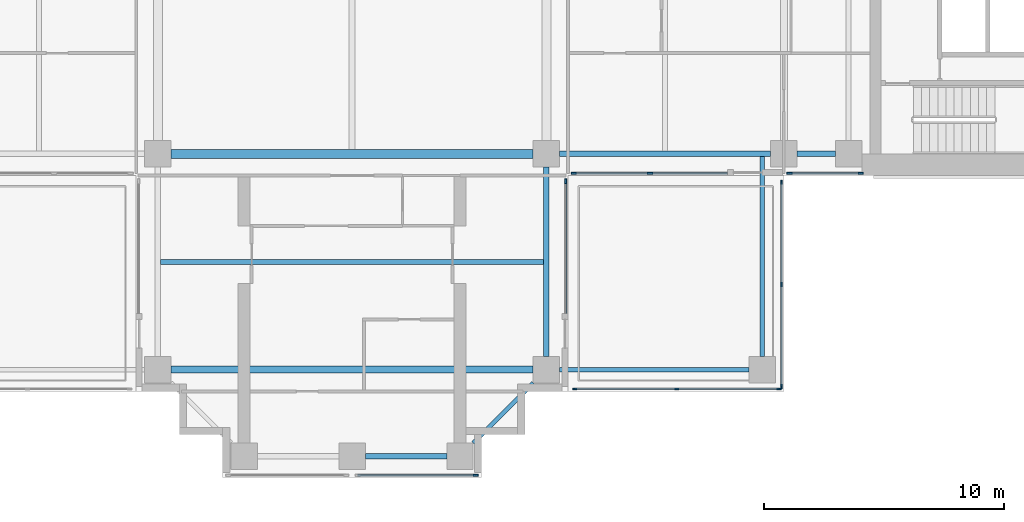
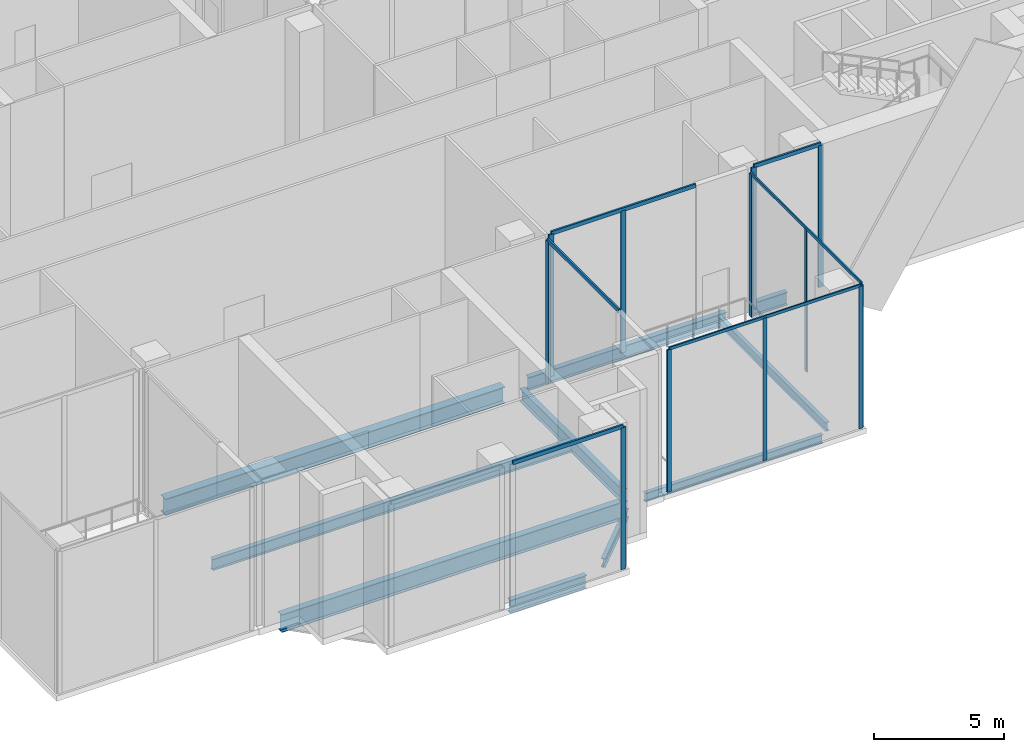
# One storey, part 3 of 17: 18 members, 10 beams, 6 elements without a shape of their own.
"""IFC4 building model written with IfcOpenShell, lengths in metres."""

from ifc_helpers import new_model, si_unit, direction, frame, origin, origin_2d, place, context, subcontext, project, spatial, rectangle, i_section, extrude, material, material_profile, profile_set, type_object, element, aggregate, save


model = new_model("IFC4")

# Units and contexts
model_context = context("Model", 3, precision=1e-05, world=origin(), true_north=direction((0.0, 1.0)))
body_context = subcontext(model_context, "Body", "Model", "MODEL_VIEW")
ifc_project = project(units=[si_unit("LENGTHUNIT", "METRE"), si_unit("AREAUNIT", "SQUARE_METRE"), si_unit("VOLUMEUNIT", "CUBIC_METRE"), si_unit("PLANEANGLEUNIT", "RADIAN"), si_unit("MASSUNIT", "GRAM", prefix="KILO")], contexts=[model_context])

# Site, building, storey
site_placement = place(None, origin())
site = spatial("IfcSite", under=ifc_project, at=site_placement, CompositionType="ELEMENT")
building_placement = place(site_placement, origin())
building = spatial("IfcBuilding", under=site, at=building_placement, Name="Perihelion Cross Residences", CompositionType="ELEMENT")
storey_placement = place(building_placement, frame((0.0, 0.0, 154.89990234375)))
storey = spatial("IfcBuildingStorey", under=building, at=storey_placement, Name="L38", CompositionType="ELEMENT", Elevation=154.89990234375)

# Curtain wall, member
ifc_material_1 = material(Name="Bronze anodised aluminium, tinted glazing", Category="aluminium")
curtain_wall_type_1 = type_object("IfcCurtainWallType", Name="CW3", PredefinedType="NOTDEFINED", material=ifc_material_1)
curtain_wall_1_placement = place(storey_placement, origin())
curtain_wall_1 = element("IfcCurtainWall", 1, at=curtain_wall_1_placement, inside=storey, type_object=curtain_wall_type_1, Name="Curtain wall CW3 L38 south tip south bay 2", PredefinedType="NOTDEFINED")
ifc_material_2 = material(Name="Bronze anodised aluminium", Category="aluminium")
ifc_material_profile_1 = material_profile(ifc_material_2, rectangle(XDim=0.080078125, YDim=0.219970703125, at=origin_2d()), Name="CW3 mullion")
ifc_profile_set_1 = profile_set([ifc_material_profile_1], Name="Bronze anodised aluminium")
member_type_1 = type_object("IfcMemberType", Name="CW3 mullion", PredefinedType="MULLION", material=ifc_profile_set_1)
member_1_placement = place(storey_placement, frame((5.159912109375, -21.5, 0.0), z_axis=(0.0, 0.0, 1.0), x_axis=(0.0, 1.0, 0.0)))
member_1 = element("IfcMember", 2, at=member_1_placement, type_object=member_type_1, Name="CW3 mullion 2", PredefinedType="MULLION", context=body_context, shape_type="SweptSolid", body=[
    extrude(rectangle(XDim=0.080078125, YDim=0.219970703125, at=origin_2d()), origin(), (0.0, 0.0, 1.0), 6.670166015625),
])

curtain_wall_2_placement = place(storey_placement, origin())
curtain_wall_2 = element("IfcCurtainWall", 3, at=curtain_wall_2_placement, inside=storey, type_object=curtain_wall_type_1, Name="Curtain wall CW3 L38 south side east bay 1", PredefinedType="NOTDEFINED")
member_2_placement = place(storey_placement, frame((8.89990234375, -9.239990234375, 0.0), z_axis=(0.0, 0.0, 1.0), x_axis=(-1.0, 0.0, 0.0)))
member_2 = element("IfcMember", 4, at=member_2_placement, type_object=member_type_1, Name="CW3 mullion 2", PredefinedType="MULLION", context=body_context, shape_type="SweptSolid", body=[
    extrude(rectangle(XDim=0.080078125, YDim=0.219970703125, at=origin_2d()), origin(), (0.0, 0.0, 1.0), 6.670166015625),
])

# Curtain wall, members
curtain_wall_3_placement = place(storey_placement, origin())
curtain_wall_3 = element("IfcCurtainWall", 5, at=curtain_wall_3_placement, inside=storey, type_object=curtain_wall_type_1, Name="Curtain wall CW3 L38 east side south bay 1", PredefinedType="NOTDEFINED")
member_3_placement = place(storey_placement, frame((9.239990234375, -8.89990234375, 0.0), z_axis=(0.0, 0.0, 1.0), x_axis=(0.0, 1.0, 0.0)))
member_3 = element("IfcMember", 6, at=member_3_placement, type_object=member_type_1, Name="CW3 mullion 1", PredefinedType="MULLION", context=body_context, shape_type="SweptSolid", body=[
    extrude(rectangle(XDim=0.080078125, YDim=0.219970703125, at=origin_2d()), origin(), (0.0, 0.0, 1.0), 6.670166015625),
])
member_4_placement = place(storey_placement, frame((12.425048828125, -8.89990234375, 0.0), z_axis=(0.0, 0.0, 1.0), x_axis=(0.0, 1.0, 0.0)))
member_4 = element("IfcMember", 7, at=member_4_placement, type_object=member_type_1, Name="CW3 mullion 2", PredefinedType="MULLION", context=body_context, shape_type="SweptSolid", body=[
    extrude(rectangle(XDim=0.080078125, YDim=0.219970703125, at=origin_2d()), origin(), (0.0, 0.0, 1.0), 6.670166015625),
])

curtain_wall_4_placement = place(storey_placement, origin())
curtain_wall_4 = element("IfcCurtainWall", 8, at=curtain_wall_4_placement, inside=storey, type_object=curtain_wall_type_1, Name="Curtain wall CW3 L38 east side south bay 2", PredefinedType="NOTDEFINED")
member_5_placement = place(storey_placement, frame((18.239990234375, -8.89990234375, 0.0), z_axis=(0.0, 0.0, 1.0), x_axis=(0.0, 1.0, 0.0)))
member_5 = element("IfcMember", 9, at=member_5_placement, type_object=member_type_1, Name="CW3 mullion 1", PredefinedType="MULLION", context=body_context, shape_type="SweptSolid", body=[
    extrude(rectangle(XDim=0.080078125, YDim=0.219970703125, at=origin_2d()), origin(), (0.0, 0.0, 1.0), 6.670166015625),
])
member_6_placement = place(storey_placement, frame((21.2099609375, -8.89990234375, 0.0), z_axis=(0.0, 0.0, 1.0), x_axis=(0.0, 1.0, 0.0)))
member_6 = element("IfcMember", 10, at=member_6_placement, type_object=member_type_1, Name="CW3 mullion 2", PredefinedType="MULLION", context=body_context, shape_type="SweptSolid", body=[
    extrude(rectangle(XDim=0.080078125, YDim=0.219970703125, at=origin_2d()), origin(), (0.0, 0.0, 1.0), 6.670166015625),
])

# Member
ifc_material_3 = material(Name="Bronze anodised aluminium", Category="aluminium")
ifc_material_profile_2 = material_profile(ifc_material_3, rectangle(XDim=0.080078125, YDim=0.179931640625, at=origin_2d()), Name="CW3 transom")
ifc_profile_set_2 = profile_set([ifc_material_profile_2], Name="Bronze anodised aluminium")
member_type_2 = type_object("IfcMemberType", Name="CW3 transom", PredefinedType="USERDEFINED", material=ifc_profile_set_2)
member_7_placement = place(storey_placement, frame((0.239990234375, -21.5, 6.710205078125), z_axis=(1.0, 0.0, 0.0), x_axis=(0.0, 1.0, 0.0)))
member_7 = element("IfcMember", 11, at=member_7_placement, type_object=member_type_2, Name="CW3 head transom", ObjectType="TRANSOM", PredefinedType="USERDEFINED", context=body_context, shape_type="SweptSolid", body=[
    extrude(rectangle(XDim=0.080078125, YDim=0.179931640625, at=origin_2d()), origin(), (0.0, 0.0, 1.0), 4.919921875),
])

aggregate(curtain_wall_1, [member_1, member_7])

member_8_placement = place(storey_placement, frame((8.89990234375, -14.75, 6.710205078125), z_axis=(0.0, 1.0, 0.0), x_axis=(-1.0, 0.0, 0.0)))
member_8 = element("IfcMember", 12, at=member_8_placement, type_object=member_type_2, Name="CW3 head transom", ObjectType="TRANSOM", PredefinedType="USERDEFINED", context=body_context, shape_type="SweptSolid", body=[
    extrude(rectangle(XDim=0.080078125, YDim=0.179931640625, at=origin_2d()), origin(), (0.0, 0.0, 1.0), 5.510009765625),
])

aggregate(curtain_wall_2, [member_2, member_8])

member_9_placement = place(storey_placement, frame((9.239990234375, -8.89990234375, 6.710205078125), z_axis=(1.0, 0.0, 0.0), x_axis=(0.0, 1.0, 0.0)))
member_9 = element("IfcMember", 13, at=member_9_placement, type_object=member_type_2, Name="CW3 head transom", ObjectType="TRANSOM", PredefinedType="USERDEFINED", context=body_context, shape_type="SweptSolid", body=[
    extrude(rectangle(XDim=0.080078125, YDim=0.179931640625, at=origin_2d()), origin(), (0.0, 0.0, 1.0), 6.409912109375),
])

aggregate(curtain_wall_3, [member_3, member_4, member_9])

member_10_placement = place(storey_placement, frame((18.239990234375, -8.89990234375, 6.710205078125), z_axis=(1.0, 0.0, 0.0), x_axis=(0.0, 1.0, 0.0)))
member_10 = element("IfcMember", 14, at=member_10_placement, type_object=member_type_2, Name="CW3 head transom", ObjectType="TRANSOM", PredefinedType="USERDEFINED", context=body_context, shape_type="SweptSolid", body=[
    extrude(rectangle(XDim=0.080078125, YDim=0.179931640625, at=origin_2d()), origin(), (0.0, 0.0, 1.0), 2.969970703125),
])

aggregate(curtain_wall_4, [member_5, member_6, member_10])

# Curtain wall, members
ifc_material_4 = material(Name="Bronze anodised aluminium, tinted glazing", Category="aluminium")
curtain_wall_type_2 = type_object("IfcCurtainWallType", Name="CW4", PredefinedType="NOTDEFINED", material=ifc_material_4)
curtain_wall_5_placement = place(storey_placement, origin())
curtain_wall_5 = element("IfcCurtainWall", 15, at=curtain_wall_5_placement, inside=storey, type_object=curtain_wall_type_2, Name="Curtain wall CW4 L38 pocket south-east 1 1", PredefinedType="NOTDEFINED")
ifc_material_5 = material(Name="Bronze anodised aluminium", Category="aluminium")
ifc_material_profile_3 = material_profile(ifc_material_5, rectangle(XDim=0.06005859375, YDim=0.179931640625, at=origin_2d()), Name="CW4 mullion")
ifc_profile_set_3 = profile_set([ifc_material_profile_3], Name="Bronze anodised aluminium")
member_type_3 = type_object("IfcMemberType", Name="CW4 mullion", PredefinedType="MULLION", material=ifc_profile_set_3)
member_11_placement = place(storey_placement, frame((17.89990234375, -9.280029296875, 0.0), z_axis=(0.0, 0.0, 1.0), x_axis=(1.0, 0.0, 0.0)))
member_11 = element("IfcMember", 16, at=member_11_placement, type_object=member_type_3, Name="CW4 mullion 1", PredefinedType="MULLION", context=body_context, shape_type="SweptSolid", body=[
    extrude(rectangle(XDim=0.06005859375, YDim=0.179931640625, at=origin_2d()), origin(), (0.0, 0.0, 1.0), 6.690185546875),
])
member_12_placement = place(storey_placement, frame((17.89990234375, -13.5400390625, 0.0), z_axis=(0.0, 0.0, 1.0), x_axis=(1.0, 0.0, 0.0)))
member_12 = element("IfcMember", 17, at=member_12_placement, type_object=member_type_3, Name="CW4 mullion 2", PredefinedType="MULLION", context=body_context, shape_type="SweptSolid", body=[
    extrude(rectangle(XDim=0.06005859375, YDim=0.179931640625, at=origin_2d()), origin(), (0.0, 0.0, 1.0), 6.690185546875),
])
member_13_placement = place(storey_placement, frame((17.89990234375, -17.800048828125, 0.0), z_axis=(0.0, 0.0, 1.0), x_axis=(1.0, 0.0, 0.0)))
member_13 = element("IfcMember", 18, at=member_13_placement, type_object=member_type_3, Name="CW4 mullion 3", PredefinedType="MULLION", context=body_context, shape_type="SweptSolid", body=[
    extrude(rectangle(XDim=0.06005859375, YDim=0.179931640625, at=origin_2d()), origin(), (0.0, 0.0, 1.0), 6.690185546875),
])

curtain_wall_6_placement = place(storey_placement, origin())
curtain_wall_6 = element("IfcCurtainWall", 19, at=curtain_wall_6_placement, inside=storey, type_object=curtain_wall_type_2, Name="Curtain wall CW4 L38 pocket south-east 1 2", PredefinedType="NOTDEFINED")
member_14_placement = place(storey_placement, frame((17.800048828125, -17.89990234375, 0.0), z_axis=(0.0, 0.0, 1.0), x_axis=(0.0, -1.0, 0.0)))
member_14 = element("IfcMember", 20, at=member_14_placement, type_object=member_type_3, Name="CW4 mullion 1", PredefinedType="MULLION", context=body_context, shape_type="SweptSolid", body=[
    extrude(rectangle(XDim=0.06005859375, YDim=0.179931640625, at=origin_2d()), origin(), (0.0, 0.0, 1.0), 6.690185546875),
])
member_15_placement = place(storey_placement, frame((13.5400390625, -17.89990234375, 0.0), z_axis=(0.0, 0.0, 1.0), x_axis=(0.0, -1.0, 0.0)))
member_15 = element("IfcMember", 21, at=member_15_placement, type_object=member_type_3, Name="CW4 mullion 2", PredefinedType="MULLION", context=body_context, shape_type="SweptSolid", body=[
    extrude(rectangle(XDim=0.06005859375, YDim=0.179931640625, at=origin_2d()), origin(), (0.0, 0.0, 1.0), 6.690185546875),
])
member_16_placement = place(storey_placement, frame((9.280029296875, -17.89990234375, 0.0), z_axis=(0.0, 0.0, 1.0), x_axis=(0.0, -1.0, 0.0)))
member_16 = element("IfcMember", 22, at=member_16_placement, type_object=member_type_3, Name="CW4 mullion 3", PredefinedType="MULLION", context=body_context, shape_type="SweptSolid", body=[
    extrude(rectangle(XDim=0.06005859375, YDim=0.179931640625, at=origin_2d()), origin(), (0.0, 0.0, 1.0), 6.690185546875),
])

# Member
ifc_material_6 = material(Name="Bronze anodised aluminium", Category="aluminium")
ifc_material_profile_4 = material_profile(ifc_material_6, rectangle(XDim=0.06005859375, YDim=0.139892578125, at=origin_2d()), Name="CW4 transom")
ifc_profile_set_4 = profile_set([ifc_material_profile_4], Name="Bronze anodised aluminium")
member_type_4 = type_object("IfcMemberType", Name="CW4 transom", PredefinedType="USERDEFINED", material=ifc_profile_set_4)
member_17_placement = place(storey_placement, frame((17.89990234375, -9.280029296875, 6.72021484375), z_axis=(0.0, -1.0, 0.0), x_axis=(1.0, 0.0, 0.0)))
member_17 = element("IfcMember", 23, at=member_17_placement, type_object=member_type_4, Name="CW4 head transom", ObjectType="TRANSOM", PredefinedType="USERDEFINED", context=body_context, shape_type="SweptSolid", body=[
    extrude(rectangle(XDim=0.06005859375, YDim=0.139892578125, at=origin_2d()), origin(), (0.0, 0.0, 1.0), 8.52001953125),
])

aggregate(curtain_wall_5, [member_11, member_12, member_13, member_17])

member_18_placement = place(storey_placement, frame((17.800048828125, -17.89990234375, 6.72021484375), z_axis=(-1.0, 0.0, 0.0), x_axis=(0.0, -1.0, 0.0)))
member_18 = element("IfcMember", 24, at=member_18_placement, type_object=member_type_4, Name="CW4 head transom", ObjectType="TRANSOM", PredefinedType="USERDEFINED", context=body_context, shape_type="SweptSolid", body=[
    extrude(rectangle(XDim=0.06005859375, YDim=0.139892578125, at=origin_2d()), origin(), (0.0, 0.0, 1.0), 8.52001953125),
])

aggregate(curtain_wall_6, [member_14, member_15, member_16, member_18])

# Beams
ifc_material_7 = material(Name="Steel S355", Category="steel")
ifc_material_profile_5 = material_profile(ifc_material_7, i_section(OverallWidth=0.177978515625, OverallDepth=0.406005859375, WebThickness=0.0078125, FlangeThickness=0.0126953125, at=origin_2d()), Name="W410x60")
ifc_profile_set_5 = profile_set([ifc_material_profile_5], Name="Steel S355")
beam_type_1 = type_object("IfcBeamType", Name="Core edge beam W410x60", PredefinedType="BEAM", material=ifc_profile_set_5)
beam_1_placement = place(storey_placement, frame((17.10009765625, -8.214599609375, -0.5029296875), z_axis=(0.0, -1.0, 0.0), x_axis=(1.0, 0.0, 0.0)))
element("IfcBeam", 25, at=beam_1_placement, inside=storey, type_object=beam_type_1, Name="Core edge beam TB2 L38 corner no. 5", PredefinedType="BEAM", context=body_context, shape_type="SweptSolid", body=[
    extrude(i_section(OverallWidth=0.177978515625, OverallDepth=0.406005859375, WebThickness=0.0078125, FlangeThickness=0.0126953125, at=origin_2d()), origin(), (0.0, 0.0, 1.0), 8.33544921875),
])
beam_2_placement = place(storey_placement, frame((8.64990234375, -17.10009765625, -0.5029296875), z_axis=(1.0, 0.0, 0.0), x_axis=(0.0, 1.0, 0.0)))
element("IfcBeam", 26, at=beam_2_placement, inside=storey, type_object=beam_type_1, Name="Core edge beam TB2 L38 corner no. 6", PredefinedType="BEAM", context=body_context, shape_type="SweptSolid", body=[
    extrude(i_section(OverallWidth=0.177978515625, OverallDepth=0.406005859375, WebThickness=0.0078125, FlangeThickness=0.0126953125, at=origin_2d()), origin(), (0.0, 0.0, 1.0), 7.900146484375),
])
ifc_material_8 = material(Name="Steel S355", Category="steel")
ifc_material_profile_6 = material_profile(ifc_material_8, i_section(OverallWidth=0.22900390625, OverallDepth=0.612060546875, WebThickness=0.011962890625, FlangeThickness=0.01953125, at=origin_2d()), Name="W610x125")
ifc_profile_set_6 = profile_set([ifc_material_profile_6], Name="Steel S355")
beam_type_2 = type_object("IfcBeamType", Name="Edge beam W610x125", PredefinedType="SPANDREL", material=ifc_profile_set_6)
beam_3_placement = place(storey_placement, frame((0.550048828125, -20.699951171875, -0.60595703125), z_axis=(1.0, 0.0, 0.0), x_axis=(0.0, 1.0, 0.0)))
element("IfcBeam", 27, at=beam_3_placement, inside=storey, type_object=beam_type_2, Name="Edge beam SB3 L38 no. 9", PredefinedType="SPANDREL", context=body_context, shape_type="SweptSolid", body=[
    extrude(i_section(OverallWidth=0.22900390625, OverallDepth=0.612060546875, WebThickness=0.011962890625, FlangeThickness=0.01953125, at=origin_2d()), origin(), (0.0, 0.0, 1.0), 3.39990234375),
])
beam_4_placement = place(storey_placement, frame((8.10009765625, -16.550048828125, -0.60595703125), z_axis=(0.0, 1.0, 0.0), x_axis=(-1.0, 0.0, 0.0)))
element("IfcBeam", 28, at=beam_4_placement, inside=storey, type_object=beam_type_2, Name="Edge beam SB3 L38 no. 15", PredefinedType="SPANDREL", context=body_context, shape_type="SweptSolid", body=[
    extrude(i_section(OverallWidth=0.22900390625, OverallDepth=0.612060546875, WebThickness=0.011962890625, FlangeThickness=0.01953125, at=origin_2d()), origin(), (0.0, 0.0, 1.0), 7.900146484375),
])
beam_5_placement = place(storey_placement, frame((8.64990234375, -8.10009765625, -0.60595703125), z_axis=(1.0, 0.0, 0.0), x_axis=(0.0, 1.0, 0.0)))
element("IfcBeam", 29, at=beam_5_placement, inside=storey, type_object=beam_type_2, Name="Edge beam SB3 L38 no. 16", PredefinedType="SPANDREL", context=body_context, shape_type="SweptSolid", body=[
    extrude(i_section(OverallWidth=0.22900390625, OverallDepth=0.612060546875, WebThickness=0.011962890625, FlangeThickness=0.01953125, at=origin_2d()), origin(), (0.0, 0.0, 1.0), 8.800048828125),
])
beam_6_placement = place(storey_placement, frame((18.550048828125, -8.10009765625, -0.60595703125), z_axis=(1.0, 0.0, 0.0), x_axis=(0.0, 1.0, 0.0)))
element("IfcBeam", 30, at=beam_6_placement, inside=storey, type_object=beam_type_2, Name="Edge beam SB3 L38 no. 11", PredefinedType="SPANDREL", context=body_context, shape_type="SweptSolid", body=[
    extrude(i_section(OverallWidth=0.22900390625, OverallDepth=0.612060546875, WebThickness=0.011962890625, FlangeThickness=0.01953125, at=origin_2d()), origin(), (0.0, 0.0, 1.0), 1.599853515625),
])
ifc_material_9 = material(Name="Steel S355", Category="steel")
ifc_material_profile_7 = material_profile(ifc_material_9, i_section(OverallWidth=0.2919921875, OverallDepth=0.8359375, WebThickness=0.013916015625, FlangeThickness=0.018798828125, at=origin_2d()), Name="W840x176")
ifc_profile_set_7 = profile_set([ifc_material_profile_7], Name="Steel S355")
beam_type_3 = type_object("IfcBeamType", Name="Floor girder W840x176", PredefinedType="BEAM", material=ifc_profile_set_7)
beam_7_placement = place(storey_placement, frame((-7.550048828125, -17.10009765625, -0.718017578125), z_axis=(1.0, 0.0, 0.0), x_axis=(0.0, 1.0, 0.0)))
element("IfcBeam", 31, at=beam_7_placement, inside=storey, type_object=beam_type_3, Name="Girder G3 L38 no. 3", PredefinedType="BEAM", context=body_context, shape_type="SweptSolid", body=[
    extrude(i_section(OverallWidth=0.2919921875, OverallDepth=0.8359375, WebThickness=0.013916015625, FlangeThickness=0.018798828125, at=origin_2d()), origin(), (0.0, 0.0, 1.0), 15.10009765625),
])
ifc_material_10 = material(Name="Steel S355", Category="steel")
ifc_material_profile_8 = material_profile(ifc_material_10, i_section(OverallWidth=0.208984375, OverallDepth=0.532958984375, WebThickness=0.01025390625, FlangeThickness=0.015625, at=origin_2d()), Name="W530x92")
ifc_profile_set_8 = profile_set([ifc_material_profile_8], Name="Steel S355")
beam_type_4 = type_object("IfcBeamType", Name="Floor joist W530x92", PredefinedType="JOIST", material=ifc_profile_set_8)
beam_8_placement = place(storey_placement, frame((-7.985595703125, -12.60009765625, -0.56640625), z_axis=(1.0, 0.0, 0.0), x_axis=(0.0, 1.0, 0.0)))
element("IfcBeam", 32, at=beam_8_placement, inside=storey, type_object=beam_type_4, Name="Joist J4 L38 no. 3", PredefinedType="JOIST", context=body_context, shape_type="SweptSolid", body=[
    extrude(i_section(OverallWidth=0.208984375, OverallDepth=0.532958984375, WebThickness=0.01025390625, FlangeThickness=0.015625, at=origin_2d()), origin(), (0.0, 0.0, 1.0), 15.97119140625),
])
ifc_material_11 = material(Name="Steel S355", Category="steel")
ifc_material_profile_9 = material_profile(ifc_material_11, i_section(OverallWidth=0.381103515625, OverallDepth=0.77197265625, WebThickness=0.0166015625, FlangeThickness=0.027099609375, at=origin_2d()), Name="W760x257")
ifc_profile_set_9 = profile_set([ifc_material_profile_9], Name="Steel S355")
beam_type_5 = type_object("IfcBeamType", Name="Hub ring girder W760x257", PredefinedType="BEAM", material=ifc_profile_set_9)
beam_9_placement = place(storey_placement, frame((-7.550048828125, -8.10009765625, -0.685791015625), z_axis=(1.0, 0.0, 0.0), x_axis=(0.0, 1.0, 0.0)))
element("IfcBeam", 33, at=beam_9_placement, inside=storey, type_object=beam_type_5, Name="Hub ring girder RG3 L38 no. 1", PredefinedType="BEAM", context=body_context, shape_type="SweptSolid", body=[
    extrude(i_section(OverallWidth=0.381103515625, OverallDepth=0.77197265625, WebThickness=0.0166015625, FlangeThickness=0.027099609375, at=origin_2d()), origin(), (0.0, 0.0, 1.0), 15.10009765625),
])
ifc_material_12 = material(Name="Steel S355", Category="steel")
ifc_material_profile_10 = material_profile(ifc_material_12, i_section(OverallWidth=0.180908203125, OverallDepth=0.4169921875, WebThickness=0.010986328125, FlangeThickness=0.018310546875, at=origin_2d()), Name="W410x85")
ifc_profile_set_10 = profile_set([ifc_material_profile_10], Name="Steel S355")
beam_type_6 = type_object("IfcBeamType", Name="Serration edge beam W410x85", PredefinedType="BEAM", material=ifc_profile_set_10)
beam_10_placement = place(storey_placement, frame((5.050048828125, -20.14990234375, -0.50830078125), z_axis=(0.707106781187, 0.707106781187, 0.0), x_axis=(-0.707106781187, 0.707106781187, 0.0)))
element("IfcBeam", 34, at=beam_10_placement, inside=storey, type_object=beam_type_6, Name="Serration edge beam EB3 L38 no. 3", PredefinedType="BEAM", context=body_context, shape_type="SweptSolid", body=[
    extrude(i_section(OverallWidth=0.180908203125, OverallDepth=0.4169921875, WebThickness=0.010986328125, FlangeThickness=0.018310546875, at=origin_2d()), origin(), (0.0, 0.0, 1.0), 3.53564453125),
])

save(model, "model.ifc")
